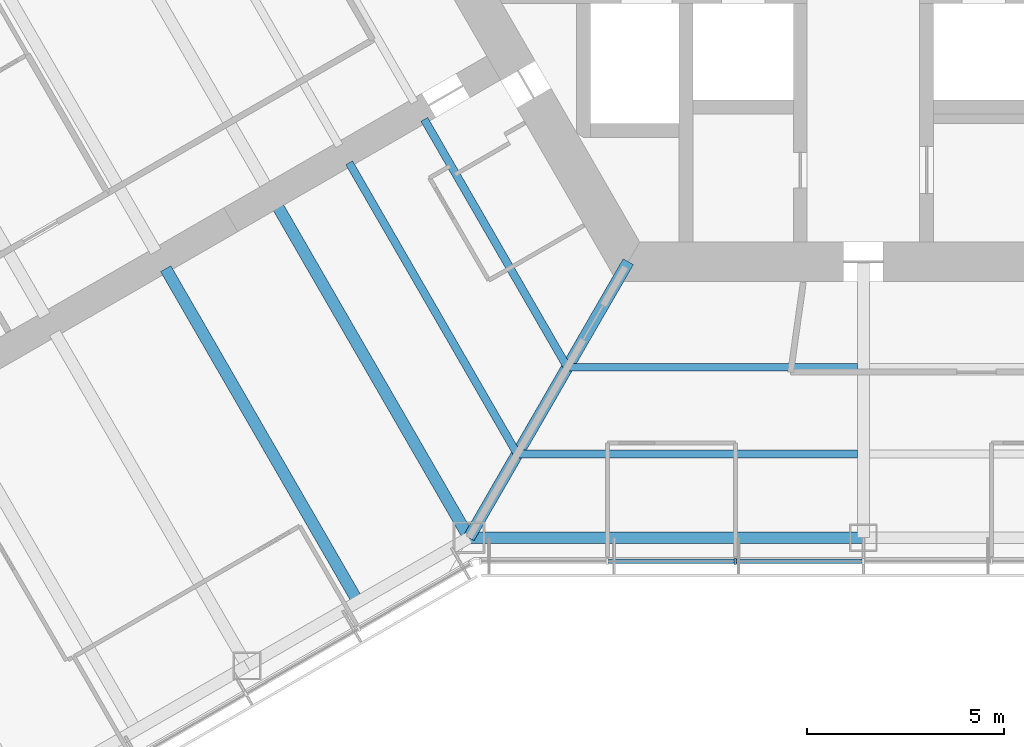
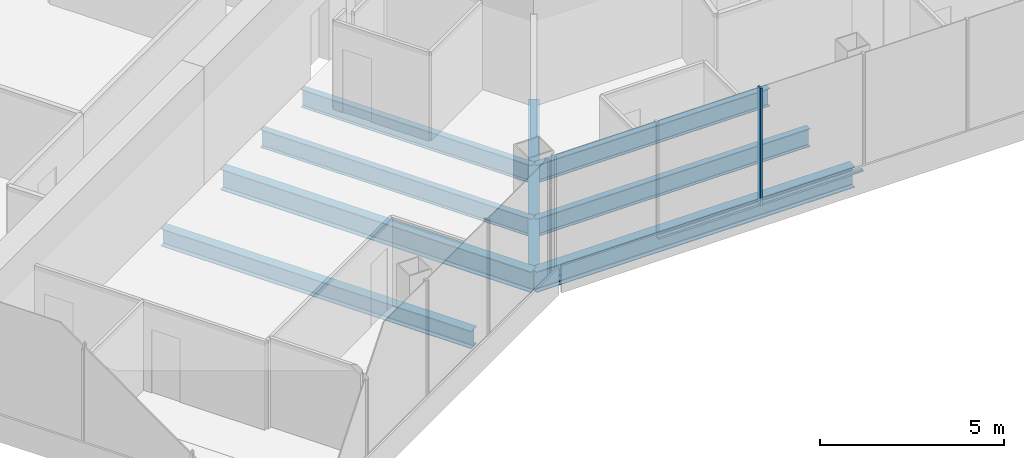
# One storey, part 3 of 18: 8 beams, 3 members, 1 element without a shape of its own.
"""IFC4 building model written with IfcOpenShell, lengths in metres."""

import ifcopenshell
import ifcopenshell.guid

model = None  # the IFC model being written
_history = None  # IfcOwnerHistory: only IFC2X3 demands one
_inside = {}  # id of a spatial element -> (the spatial element, [elements in it])
_under = {}  # id of a project, library or spatial element -> (it, [spatial elements below it])
_declared = {}  # id of a project -> (the project, [libraries it declares])
_typed = {}  # id of a type object -> (the type object, [elements of that type])
_made_of = {}  # id of a material, layer set ... -> (it, [elements and type objects made of it])


def new_model(schema):
    """Start an empty IFC model of exactly this schema.

    Asked for "IFC4X3", IfcOpenShell would pick the latest addendum, in which some entities
    have other attributes; the version numbers below select the first issue.
    IFC2X3 requires an IfcOwnerHistory on every rooted entity: one is made here for all.
    """
    global model, _history
    if schema == "IFC4X3":
        model = ifcopenshell.file(schema_version=(4, 3, 0, 0))
    else:
        model = ifcopenshell.file(schema=schema)
    _inside.clear()
    _under.clear()
    _declared.clear()
    _typed.clear()
    _made_of.clear()
    _history = None
    if model.schema == "IFC2X3":
        org = make("IfcOrganization", Name="unknown")
        user = make(
            "IfcPersonAndOrganization",
            ThePerson=make("IfcPerson", FamilyName="unknown"),
            TheOrganization=org,
        )
        app = make(
            "IfcApplication",
            ApplicationDeveloper=org,
            Version="unknown",
            ApplicationFullName="unknown",
            ApplicationIdentifier="unknown",
        )
        _history = make(
            "IfcOwnerHistory",
            OwningUser=user,
            OwningApplication=app,
            ChangeAction="ADDED",
            CreationDate=0,
        )
    return model


def make(cls, **values):
    """One entity of the class cls with the attributes given. An attribute that is None is left unset."""
    return model.create_entity(
        cls, **{name: value for name, value in values.items() if value is not None}
    )


def rooted(cls, **values):
    """An entity with a GlobalId (a new one), such as an element, a storey or a relation."""
    return make(cls, GlobalId=ifcopenshell.guid.new(), OwnerHistory=_history, **values)


def si_unit(unit_type, name, prefix=None):
    """IfcSIUnit, for example si_unit("LENGTHUNIT", "METRE", prefix="MILLI")."""
    return make("IfcSIUnit", UnitType=unit_type, Prefix=prefix, Name=name)


def assignment(units):
    """IfcUnitAssignment: the units of a project."""
    return None if units is None else make("IfcUnitAssignment", Units=units)


def point(xyz):
    """IfcCartesianPoint."""
    return None if xyz is None else make("IfcCartesianPoint", Coordinates=xyz)


def direction(xyz):
    """IfcDirection."""
    return None if xyz is None else make("IfcDirection", DirectionRatios=xyz)


def frame(location, z_axis=None, x_axis=None):
    """IfcAxis2Placement3D, a coordinate frame: its origin and axes. An axis left out is left unset."""
    return make(
        "IfcAxis2Placement3D",
        Location=point(location),
        Axis=direction(z_axis),
        RefDirection=direction(x_axis),
    )


def frame_2d(location, x_axis=None):
    """IfcAxis2Placement2D, a coordinate frame in the plane: its origin and x axis."""
    return make(
        "IfcAxis2Placement2D", Location=point(location), RefDirection=direction(x_axis)
    )


def origin():
    """The frame at (0, 0, 0) with its axes left unset."""
    return frame((0.0, 0.0, 0.0))


def origin_2d():
    """The frame at (0, 0) in the plane with its x axis left unset."""
    return frame_2d((0.0, 0.0))


def place(relative_to, where):
    """IfcLocalPlacement: puts the frame where relative to a parent placement (None: the world)."""
    return make(
        "IfcLocalPlacement", PlacementRelTo=relative_to, RelativePlacement=where
    )


def context(
    kind, dimensions, precision=None, world=None, true_north=None, identifier=None
):
    """IfcGeometricRepresentationContext, for example the 3D "Model" context."""
    return make(
        "IfcGeometricRepresentationContext",
        ContextIdentifier=identifier,
        ContextType=kind,
        CoordinateSpaceDimension=dimensions,
        Precision=precision,
        WorldCoordinateSystem=world,
        TrueNorth=true_north,
    )


def subcontext(parent, identifier, kind, view, scale=None):
    """IfcGeometricRepresentationSubContext, for example "Body" below "Model"."""
    return make(
        "IfcGeometricRepresentationSubContext",
        ContextIdentifier=identifier,
        ContextType=kind,
        ParentContext=parent,
        TargetScale=scale,
        TargetView=view,
    )


def project(units=None, contexts=None):
    """IfcProject with its units and contexts."""
    return rooted(
        "IfcProject",
        Name="project",
        RepresentationContexts=contexts,
        UnitsInContext=assignment(units),
    )


def spatial(cls, under=None, at=None, **own):
    """A site, building, storey or space (cls), placed at a placement, below another one or the project."""
    s = rooted(cls, ObjectPlacement=at, **own)
    if under is not None:
        _under.setdefault(under.id(), (under, []))[1].append(s)
    return s


def profile(cls, at=None, kind="AREA", **sizes):
    """A parametric profile (cls). Its sizes go by their IFC names, for example OverallWidth=200.0."""
    return make(cls, ProfileType=kind, Position=at, **sizes)


def rectangle(**sizes):
    """IfcRectangleProfileDef."""
    return profile("IfcRectangleProfileDef", **sizes)


def i_section(**sizes):
    """IfcIShapeProfileDef."""
    return profile("IfcIShapeProfileDef", **sizes)


def extrude(swept, where, along, depth):
    """IfcExtrudedAreaSolid: the profile swept, set in the frame where, extruded along a direction by depth."""
    return make(
        "IfcExtrudedAreaSolid",
        SweptArea=swept,
        Position=where,
        ExtrudedDirection=direction(along),
        Depth=depth,
    )


def shape(context_of_items, identifier, shape_type, items):
    """IfcShapeRepresentation: the items that make up one representation, for example the "Body"."""
    return make(
        "IfcShapeRepresentation",
        ContextOfItems=context_of_items,
        RepresentationIdentifier=identifier,
        RepresentationType=shape_type,
        Items=items,
    )


def material(Name=None, Category=None):
    """IfcMaterial."""
    return make("IfcMaterial", Name=Name, Category=Category)


def material_profile(
    of_material, cross_section, Name=None, Category=None, Priority=None
):
    """IfcMaterialProfile: a cross section and its material."""
    return make(
        "IfcMaterialProfile",
        Name=Name,
        Material=of_material,
        Profile=cross_section,
        Priority=Priority,
        Category=Category,
    )


def profile_set(profiles, Name=None, composite=None):
    """IfcMaterialProfileSet."""
    return make(
        "IfcMaterialProfileSet",
        Name=Name,
        MaterialProfiles=profiles,
        CompositeProfile=composite,
    )


def made_of(thing, what):
    """Note that an element or type object is made of a material, layer set ...; save() writes the relation."""
    if what is not None:
        _made_of.setdefault(what.id(), (what, []))[1].append(thing)
    return thing


def type_object(cls, material=None, **own):
    """A type object (cls), such as IfcWallType, which elements share."""
    return made_of(rooted(cls, **own), material)


def element(
    cls,
    number,
    at=None,
    inside=None,
    cuts=None,
    type_object=None,
    material=None,
    context=None,
    identifier="Body",
    shape_type=None,
    held_by="IfcProductDefinitionShape",
    body=None,
    shapes=None,
    **own,
):
    """One element of the class cls, such as IfcWall. Its Tag is "e" and its number.

    at: its placement. inside: the storey or other place that contains it. cuts: it is an
    opening in that element (IfcRelVoidsElement). A single representation is given by context,
    identifier, shape_type and body (its items); several are given by shapes. held_by: the class
    of the entity that holds the representations. save() writes the other relations.
    """
    e = rooted(cls, Tag="e%d" % number, ObjectPlacement=at, **own)
    if body is not None:
        shapes = [shape(context, identifier, shape_type, body)]
    if shapes is not None:
        e.Representation = make(held_by, Representations=shapes)
    if inside is not None:
        _inside.setdefault(inside.id(), (inside, []))[1].append(e)
    if cuts is not None:
        rooted(
            "IfcRelVoidsElement", RelatingBuildingElement=cuts, RelatedOpeningElement=e
        )
    if type_object is not None:
        _typed.setdefault(type_object.id(), (type_object, []))[1].append(e)
    return made_of(e, material)


def aggregate(whole, parts):
    """IfcRelAggregates: a whole, such as a stair, and the parts it consists of."""
    return rooted("IfcRelAggregates", RelatingObject=whole, RelatedObjects=parts)


def save(model, path):
    """Write the relations noted so far, then the file.

    IfcRelAggregates (storeys below a building ...), IfcRelContainedInSpatialStructure (elements
    in a storey), IfcRelDefinesByType, IfcRelAssociatesMaterial and IfcRelDeclares: one each for
    every whole, place, type object, material and project.
    """
    for whole, parts in _under.values():
        aggregate(whole, parts)
    for where, things in _inside.values():
        rooted(
            "IfcRelContainedInSpatialStructure",
            RelatedElements=things,
            RelatingStructure=where,
        )
    for kind, things in _typed.values():
        rooted("IfcRelDefinesByType", RelatedObjects=things, RelatingType=kind)
    for what, things in _made_of.values():
        rooted("IfcRelAssociatesMaterial", RelatedObjects=things, RelatingMaterial=what)
    for by, libraries in _declared.values():
        rooted("IfcRelDeclares", RelatingContext=by, RelatedDefinitions=libraries)
    model.write(path)


model = new_model("IFC4")

# Units and contexts
model_context = context("Model", 3, precision=1e-05, world=origin(), true_north=direction((0.0, 1.0)))
body_context = subcontext(model_context, "Body", "Model", "MODEL_VIEW")
ifc_project = project(units=[si_unit("LENGTHUNIT", "METRE"), si_unit("AREAUNIT", "SQUARE_METRE"), si_unit("VOLUMEUNIT", "CUBIC_METRE"), si_unit("PLANEANGLEUNIT", "RADIAN"), si_unit("MASSUNIT", "GRAM", prefix="KILO")], contexts=[model_context])

# Site, building, storey
site_placement = place(None, origin())
site = spatial("IfcSite", under=ifc_project, at=site_placement, CompositionType="ELEMENT")
building_placement = place(site_placement, origin())
building = spatial("IfcBuilding", under=site, at=building_placement, Name="Kasaneha Research Tower", CompositionType="ELEMENT")
storey_placement = place(building_placement, frame((0.0, 0.0, 187.699951171875)))
storey = spatial("IfcBuildingStorey", under=building, at=storey_placement, Name="L47", CompositionType="ELEMENT", Elevation=187.699951171875)

# Beams
ifc_material_1 = material(Name="Steel SN490B", Category="steel")
ifc_material_profile_1 = material_profile(ifc_material_1, i_section(OverallWidth=0.199951171875, OverallDepth=0.60009765625, WebThickness=0.010986328125, FlangeThickness=0.01708984375, FilletRadius=0.012939453125, at=origin_2d()), Name="H-600x200x11x17")
ifc_profile_set_1 = profile_set([ifc_material_profile_1], Name="Steel SN490B")
beam_type_1 = type_object("IfcBeamType", Name="B1-3 secondary beam H-600x200x11x17", PredefinedType="JOIST", material=ifc_profile_set_1)
beam_1_placement = place(storey_placement, frame((-7.505615234375, -13.0, -0.449951171875), z_axis=(-0.499993340521, 0.866029248602, 0.0), x_axis=(-0.866029248602, -0.499993340521, 0.0)))
element("IfcBeam", 1, at=beam_1_placement, inside=storey, type_object=beam_type_1, Name="Secondary beam RS210R1 L47", PredefinedType="JOIST", context=body_context, shape_type="SweptSolid", body=[
    extrude(i_section(OverallWidth=0.199951171875, OverallDepth=0.60009765625, WebThickness=0.010986328125, FlangeThickness=0.01708984375, FilletRadius=0.012939453125, at=origin_2d()), origin(), (0.0, 0.0, 1.0), 7.25537109375),
])
beam_2_placement = place(storey_placement, frame((-8.775634765625, -15.199951171875, -0.449951171875), z_axis=(-0.500004205306, 0.866022975836, 0.0), x_axis=(-0.866022975836, -0.500004205306, 0.0)))
element("IfcBeam", 2, at=beam_2_placement, inside=storey, type_object=beam_type_1, Name="Secondary beam RS210R2 L47", PredefinedType="JOIST", context=body_context, shape_type="SweptSolid", body=[
    extrude(i_section(OverallWidth=0.199951171875, OverallDepth=0.60009765625, WebThickness=0.010986328125, FlangeThickness=0.01708984375, FilletRadius=0.012939453125, at=origin_2d()), origin(), (0.0, 0.0, 1.0), 8.52587890625),
])
beam_3_placement = place(storey_placement, frame((-7.505615234375, -13.0, -0.449951171875), z_axis=(1.0, 0.0, 0.0), x_axis=(0.0, 1.0, 0.0)))
element("IfcBeam", 3, at=beam_3_placement, inside=storey, type_object=beam_type_1, Name="Secondary beam RS270L1 L47", PredefinedType="JOIST", context=body_context, shape_type="SweptSolid", body=[
    extrude(i_section(OverallWidth=0.199951171875, OverallDepth=0.60009765625, WebThickness=0.010986328125, FlangeThickness=0.01708984375, FilletRadius=0.012939453125, at=origin_2d()), origin(), (0.0, 0.0, 1.0), 7.355712890625),
])
beam_4_placement = place(storey_placement, frame((-8.775634765625, -15.199951171875, -0.449951171875), z_axis=(1.0, 0.0, 0.0), x_axis=(0.0, 1.0, 0.0)))
element("IfcBeam", 4, at=beam_4_placement, inside=storey, type_object=beam_type_1, Name="Secondary beam RS270L2 L47", PredefinedType="JOIST", context=body_context, shape_type="SweptSolid", body=[
    extrude(i_section(OverallWidth=0.199951171875, OverallDepth=0.60009765625, WebThickness=0.010986328125, FlangeThickness=0.01708984375, FilletRadius=0.012939453125, at=origin_2d()), origin(), (0.0, 0.0, 1.0), 8.625732421875),
])
ifc_material_2 = material(Name="Steel SN490B", Category="steel")
ifc_material_profile_2 = material_profile(ifc_material_2, i_section(OverallWidth=0.300048828125, OverallDepth=0.58203125, WebThickness=0.011962890625, FlangeThickness=0.01708984375, FilletRadius=0.012939453125, at=origin_2d()), Name="H-582x300x12x17")
ifc_profile_set_2 = profile_set([ifc_material_profile_2], Name="Steel SN490B")
beam_type_2 = type_object("IfcBeamType", Name="B2-3 secondary beam H-582x300x12x17", PredefinedType="JOIST", material=ifc_profile_set_2)
beam_5_placement = place(storey_placement, frame((-12.814697265625, -18.945556640625, -0.44091796875), z_axis=(-0.499995560238, 0.866027967067, 0.0), x_axis=(-0.866027967067, -0.499995560238, 0.0)))
element("IfcBeam", 5, at=beam_5_placement, inside=storey, type_object=beam_type_2, Name="Secondary beam WBBN1 L47", PredefinedType="JOIST", context=body_context, shape_type="SweptSolid", body=[
    extrude(i_section(OverallWidth=0.300048828125, OverallDepth=0.58203125, WebThickness=0.011962890625, FlangeThickness=0.01708984375, FilletRadius=0.012939453125, at=origin_2d()), origin(), (0.0, 0.0, 1.0), 9.75),
])

# Curtain wall, members
ifc_material_3 = material(Name="Glass and aluminium", Category="aluminium")
curtain_wall_type = type_object("IfcCurtainWallType", Name="Mid-rise office curtain wall", PredefinedType="USERDEFINED", material=ifc_material_3)
curtain_wall_placement = place(storey_placement, origin())
curtain_wall = element("IfcCurtainWall", 6, at=curtain_wall_placement, inside=storey, type_object=curtain_wall_type, Name="CW-O2 L47 run 01a", ObjectType="UNITISED CURTAIN WALL", PredefinedType="USERDEFINED")
ifc_material_4 = material(Name="Aluminium 6063-T6", Category="aluminium")
ifc_material_profile_3 = material_profile(ifc_material_4, rectangle(XDim=0.06005859375, YDim=0.14990234375, at=origin_2d()), Name="CW-O2 mullion 60x150")
ifc_profile_set_3 = profile_set([ifc_material_profile_3], Name="Aluminium 6063-T6")
member_type_1 = type_object("IfcMemberType", Name="CW-O2 mullion", PredefinedType="MULLION", material=ifc_profile_set_3)
member_1_placement = place(storey_placement, frame((-3.246337890625, -17.92041015625, 0.0), z_axis=(0.0, 0.0, 1.0), x_axis=(1.0, 0.0, 0.0)))
member_1 = element("IfcMember", 7, at=member_1_placement, type_object=member_type_1, Name="CW-O2 mullion 3", PredefinedType="MULLION", context=body_context, shape_type="SweptSolid", body=[
    extrude(rectangle(XDim=0.06005859375, YDim=0.14990234375, at=origin_2d()), origin(), (0.0, 0.0, 1.0), 3.900146484375),
])
ifc_material_5 = material(Name="Aluminium 6063-T6", Category="aluminium")
ifc_material_profile_4 = material_profile(ifc_material_5, rectangle(XDim=0.110107421875, YDim=0.06005859375, at=origin_2d()), Name="CW-O2 transom 110x60")
ifc_profile_set_4 = profile_set([ifc_material_profile_4], Name="Aluminium 6063-T6")
member_type_2 = type_object("IfcMemberType", Name="CW-O2 transom", PredefinedType="USERDEFINED", material=ifc_profile_set_4)
member_2_placement = place(storey_placement, frame((-6.462890625, -17.92041015625, 0.030029296875), z_axis=(1.0, 0.0, 0.0), x_axis=(0.0, 1.0, 0.0)))
member_2 = element("IfcMember", 8, at=member_2_placement, type_object=member_type_2, Name="CW-O2 transom 2", ObjectType="TRANSOM", PredefinedType="USERDEFINED", context=body_context, shape_type="SweptSolid", body=[
    extrude(rectangle(XDim=0.110107421875, YDim=0.06005859375, at=origin_2d()), origin(), (0.0, 0.0, 1.0), 3.1865234375),
])
member_3_placement = place(storey_placement, frame((-3.21630859375, -17.92041015625, 0.030029296875), z_axis=(1.0, 0.0, 0.0), x_axis=(0.0, 1.0, 0.0)))
member_3 = element("IfcMember", 9, at=member_3_placement, type_object=member_type_2, Name="CW-O2 transom 3", ObjectType="TRANSOM", PredefinedType="USERDEFINED", context=body_context, shape_type="SweptSolid", body=[
    extrude(rectangle(XDim=0.110107421875, YDim=0.06005859375, at=origin_2d()), origin(), (0.0, 0.0, 1.0), 3.186279296875),
])
aggregate(curtain_wall, [member_1, member_2, member_3])

# Beams
ifc_material_6 = material(Name="Steel SN490B", Category="steel")
ifc_material_profile_5 = material_profile(ifc_material_6, i_section(OverallWidth=0.300048828125, OverallDepth=0.699951171875, WebThickness=0.012939453125, FlangeThickness=0.02392578125, FilletRadius=0.01806640625, at=origin_2d()), Name="H-700x300x13x24")
ifc_profile_set_5 = profile_set([ifc_material_profile_5], Name="Steel SN490B")
beam_type_3 = type_object("IfcBeamType", Name="G1-3 radial girder H-700x300x13x24", PredefinedType="BEAM", material=ifc_profile_set_5)
beam_6_placement = place(storey_placement, frame((-5.961181640625, -10.324951171875, -0.5), z_axis=(-0.49999105496, -0.866030568144, 0.0), x_axis=(0.866030568144, -0.49999105496, 0.0)))
element("IfcBeam", 10, at=beam_6_placement, inside=storey, type_object=beam_type_3, Name="Radial girder RV240 L47", PredefinedType="BEAM", context=body_context, shape_type="SweptSolid", body=[
    extrude(i_section(OverallWidth=0.300048828125, OverallDepth=0.699951171875, WebThickness=0.012939453125, FlangeThickness=0.02392578125, FilletRadius=0.01806640625, at=origin_2d()), origin(), (0.0, 0.0, 1.0), 8.077880859375),
])
ifc_material_7 = material(Name="Steel SN490B", Category="steel")
ifc_material_profile_6 = material_profile(ifc_material_7, i_section(OverallWidth=0.300048828125, OverallDepth=0.69189453125, WebThickness=0.012939453125, FlangeThickness=0.02001953125, FilletRadius=0.01806640625, at=origin_2d()), Name="H-692x300x13x20")
ifc_profile_set_6 = profile_set([ifc_material_profile_6], Name="Steel SN490B")
beam_type_4 = type_object("IfcBeamType", Name="G3-3 plate edge girder H-692x300x13x20", PredefinedType="BEAM", material=ifc_profile_set_6)
beam_7_placement = place(storey_placement, frame((-10.0, -17.320556640625, -0.495849609375), z_axis=(-0.499995560238, 0.866027967067, 0.0), x_axis=(-0.866027967067, -0.499995560238, 0.0)))
element("IfcBeam", 11, at=beam_7_placement, inside=storey, type_object=beam_type_4, Name="Plate edge girder PEBN L47", PredefinedType="BEAM", context=body_context, shape_type="SweptSolid", body=[
    extrude(i_section(OverallWidth=0.300048828125, OverallDepth=0.69189453125, WebThickness=0.012939453125, FlangeThickness=0.02001953125, FilletRadius=0.01806640625, at=origin_2d()), origin(), (0.0, 0.0, 1.0), 9.75),
])
ifc_material_8 = material(Name="Steel SN490B", Category="steel")
ifc_material_profile_7 = material_profile(ifc_material_8, i_section(OverallWidth=0.300048828125, OverallDepth=0.69189453125, WebThickness=0.012939453125, FlangeThickness=0.02001953125, FilletRadius=0.01806640625, at=origin_2d()), Name="H-692x300x13x20")
ifc_profile_set_7 = profile_set([ifc_material_profile_7], Name="Steel SN490B")
beam_type_5 = type_object("IfcBeamType", Name="SB1-3 spandrel beam H-692x300x13x20", PredefinedType="SPANDREL", material=ifc_profile_set_7)
beam_8_placement = place(storey_placement, frame((-10.0, -17.320556640625, -0.495849609375), z_axis=(1.0, 0.0, 0.0), x_axis=(0.0, 1.0, 0.0)))
element("IfcBeam", 12, at=beam_8_placement, inside=storey, type_object=beam_type_5, Name="Spandrel beam SR270L L47", PredefinedType="SPANDREL", context=body_context, shape_type="SweptSolid", body=[
    extrude(i_section(OverallWidth=0.300048828125, OverallDepth=0.69189453125, WebThickness=0.012939453125, FlangeThickness=0.02001953125, FilletRadius=0.01806640625, at=origin_2d()), origin(), (0.0, 0.0, 1.0), 10.0),
])

save(model, "model.ifc")
